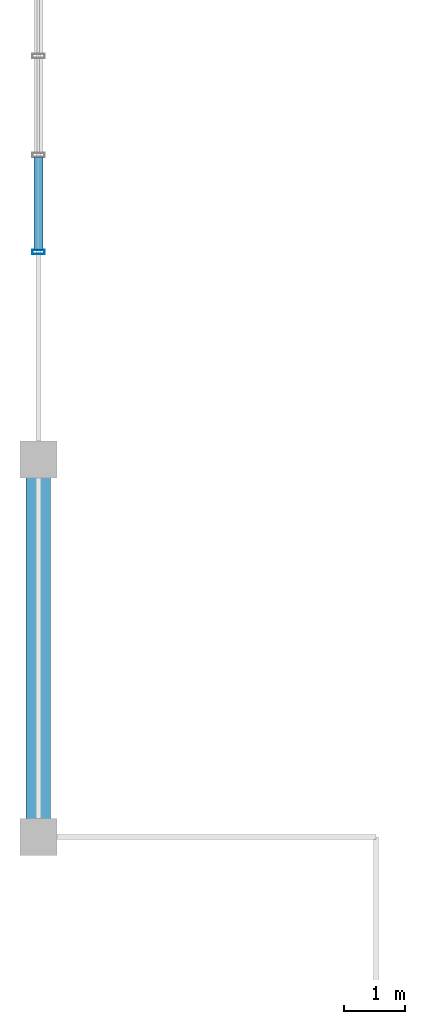
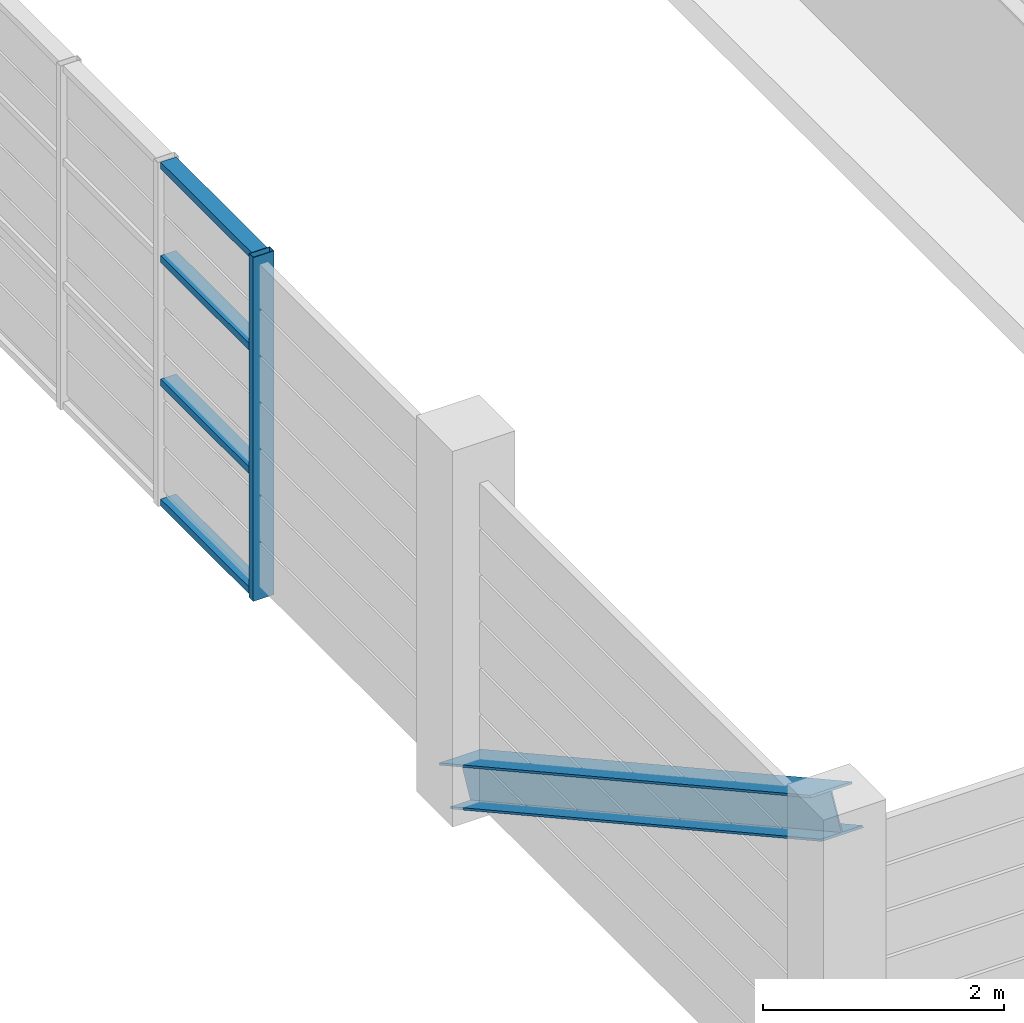
# One storey, part 3 of 21: 6 members, 1 element without a shape of its own.
"""IFC4 building model written with IfcOpenShell, lengths in metres."""

from ifc_helpers import new_model, si_unit, direction, frame, origin, origin_2d, place, context, subcontext, project, spatial, hollow_rectangle, i_section, extrude, source, transform, mapped, material, layer, layer_set, material_profile, profile_set, type_object, element, aggregate, save


model = new_model("IFC4")

# Units and contexts
model_context = context("Model", 3, precision=1e-05, world=origin(), true_north=direction((0.0, 1.0)))
body_context = subcontext(model_context, "Body", "Model", "MODEL_VIEW")
ifc_project = project(units=[si_unit("LENGTHUNIT", "METRE"), si_unit("AREAUNIT", "SQUARE_METRE"), si_unit("VOLUMEUNIT", "CUBIC_METRE"), si_unit("PLANEANGLEUNIT", "RADIAN"), si_unit("MASSUNIT", "GRAM", prefix="KILO")], contexts=[model_context])

# Site, building, storey
site_placement = place(None, origin())
site = spatial("IfcSite", under=ifc_project, at=site_placement, CompositionType="ELEMENT")
building_placement = place(site_placement, origin())
building = spatial("IfcBuilding", under=site, at=building_placement, Name="Saelheon Loggia Tower", CompositionType="ELEMENT")
storey_placement = place(building_placement, frame((0.0, 0.0, 267.39990234375)))
storey = spatial("IfcBuildingStorey", under=building, at=storey_placement, Name="CR5", CompositionType="ELEMENT", Elevation=267.39990234375)

# Member
ifc_material_1 = material(Name="Steel SM355", Category="steel")
ifc_material_profile_1 = material_profile(ifc_material_1, i_section(OverallWidth=0.39990234375, OverallDepth=0.39990234375, WebThickness=0.012939453125, FlangeThickness=0.02099609375, at=origin_2d()), Name="H-400x400x13x21")
ifc_profile_set_1 = profile_set([ifc_material_profile_1], Name="Steel SM355")
member_type_1 = type_object("IfcMemberType", Name="CrownFrame_Brace_H400", PredefinedType="BRACE", material=ifc_profile_set_1)
shared_shape_1 = source(origin(), body_context, "Body", "SweptSolid", [
    extrude(i_section(OverallWidth=0.39990234375, OverallDepth=0.39990234375, WebThickness=0.012939453125, FlangeThickness=0.02099609375, at=origin_2d()), origin(), (0.0, 0.0, 1.0), 7.027099609375),
])
member_1_placement = place(storey_placement, frame((23.35009765625, 18.0, 0.2001953125), z_axis=(0.0, -0.875164888097, 0.48382478093), x_axis=(1.0, 0.0, 0.0)))
element("IfcMember", 1, at=member_1_placement, inside=storey, type_object=member_type_1, Name="CR5 CROWN FRAME Wind Brace 08", PredefinedType="BRACE", context=body_context, shape_type="MappedRepresentation", body=[
    mapped(shared_shape_1, transform((0.0, 0.0, 0.0), scale=1.0)),
])

# Curtain wall, members
ifc_material_2 = material(Name="Bronze-Anodised Aluminium and Fritted Ceramic Screen", Category="aluminium")
ifc_layer = layer(ifc_material_2, 0.219970703125)
ifc_layer_set = layer_set([ifc_layer], Name="Bronze-Anodised Aluminium and Fritted Ceramic Screen")
curtain_wall_type = type_object("IfcCurtainWallType", Name="CW_CrownScreen", PredefinedType="NOTDEFINED", material=ifc_layer_set)
curtain_wall_placement = place(storey_placement, origin())
curtain_wall = element("IfcCurtainWall", 2, at=curtain_wall_placement, inside=storey, type_object=curtain_wall_type, Name="CR5 Crown Central Screen Curtain Wall 9", PredefinedType="NOTDEFINED")
ifc_material_3 = material(Name="Bronze-Anodised Aluminium 6063-T6", Category="aluminium")
ifc_material_profile_2 = material_profile(ifc_material_3, hollow_rectangle(XDim=0.070068359375, YDim=0.199951171875, WallThickness=0.0048828125, at=origin_2d()), Name="RHS-200x70x5")
ifc_profile_set_2 = profile_set([ifc_material_profile_2], Name="Bronze-Anodised Aluminium 6063-T6")
member_type_2 = type_object("IfcMemberType", Name="CW_CrownScreen_Mullion", PredefinedType="MULLION", material=ifc_profile_set_2)
shared_shape_2 = source(origin(), body_context, "Body", "SweptSolid", [
    extrude(hollow_rectangle(XDim=0.070068359375, YDim=0.199951171875, WallThickness=0.0048828125, at=origin_2d()), origin(), (0.0, 0.0, 1.0), 3.47998046875),
])
member_2_placement = place(storey_placement, frame((23.35009765625, 21.385009765625, 0.0), z_axis=(0.0, 0.0, 1.0), x_axis=(0.0, 1.0, 0.0)))
member_2 = element("IfcMember", 3, at=member_2_placement, type_object=member_type_2, Name="CW6 mullion 1", PredefinedType="MULLION", context=body_context, shape_type="MappedRepresentation", body=[
    mapped(shared_shape_2, transform((0.0, 0.0, 0.0), scale=1.0)),
])
ifc_material_profile_3 = material_profile(ifc_material_3, hollow_rectangle(XDim=0.070068359375, YDim=0.14990234375, WallThickness=0.0048828125, at=origin_2d()), Name="RHS-150x70x5")
ifc_profile_set_3 = profile_set([ifc_material_profile_3], Name="Bronze-Anodised Aluminium 6063-T6")
member_type_3 = type_object("IfcMemberType", Name="CW_CrownScreen_Transom", PredefinedType="USERDEFINED", material=ifc_profile_set_3)
shared_shape_3 = source(origin(), body_context, "Body", "SweptSolid", [
    extrude(hollow_rectangle(XDim=0.070068359375, YDim=0.14990234375, WallThickness=0.0048828125, at=origin_2d()), origin(), (0.0, 0.0, 1.0), 1.50927734375),
])
member_3_placement = place(storey_placement, frame((23.35009765625, 21.419921875, 0.03515625), z_axis=(0.0, 1.0, 0.0), x_axis=(0.0, 0.0, 1.0)))
member_3 = element("IfcMember", 4, at=member_3_placement, type_object=member_type_3, Name="CW6 transom 1.1", ObjectType="TRANSOM", PredefinedType="USERDEFINED", context=body_context, shape_type="MappedRepresentation", body=[
    mapped(shared_shape_3, transform((0.0, 0.0, 0.0), scale=1.0)),
])
member_4_placement = place(storey_placement, frame((23.35009765625, 21.419921875, 1.25), z_axis=(0.0, 1.0, 0.0), x_axis=(0.0, 0.0, 1.0)))
member_4 = element("IfcMember", 5, at=member_4_placement, type_object=member_type_3, Name="CW6 transom 1.2", ObjectType="TRANSOM", PredefinedType="USERDEFINED", context=body_context, shape_type="MappedRepresentation", body=[
    mapped(shared_shape_3, transform((0.0, 0.0, 0.0), scale=1.0)),
])
member_5_placement = place(storey_placement, frame((23.35009765625, 21.419921875, 2.5), z_axis=(0.0, 1.0, 0.0), x_axis=(0.0, 0.0, 1.0)))
member_5 = element("IfcMember", 6, at=member_5_placement, type_object=member_type_3, Name="CW6 transom 1.3", ObjectType="TRANSOM", PredefinedType="USERDEFINED", context=body_context, shape_type="MappedRepresentation", body=[
    mapped(shared_shape_3, transform((0.0, 0.0, 0.0), scale=1.0)),
])
member_6_placement = place(storey_placement, frame((23.35009765625, 21.419921875, 3.445068359375), z_axis=(0.0, 1.0, 0.0), x_axis=(0.0, 0.0, 1.0)))
member_6 = element("IfcMember", 7, at=member_6_placement, type_object=member_type_3, Name="CW6 transom 1.4", ObjectType="TRANSOM", PredefinedType="USERDEFINED", context=body_context, shape_type="MappedRepresentation", body=[
    mapped(shared_shape_3, transform((0.0, 0.0, 0.0), scale=1.0)),
])
aggregate(curtain_wall, [member_2, member_3, member_4, member_5, member_6])

save(model, "model.ifc")
